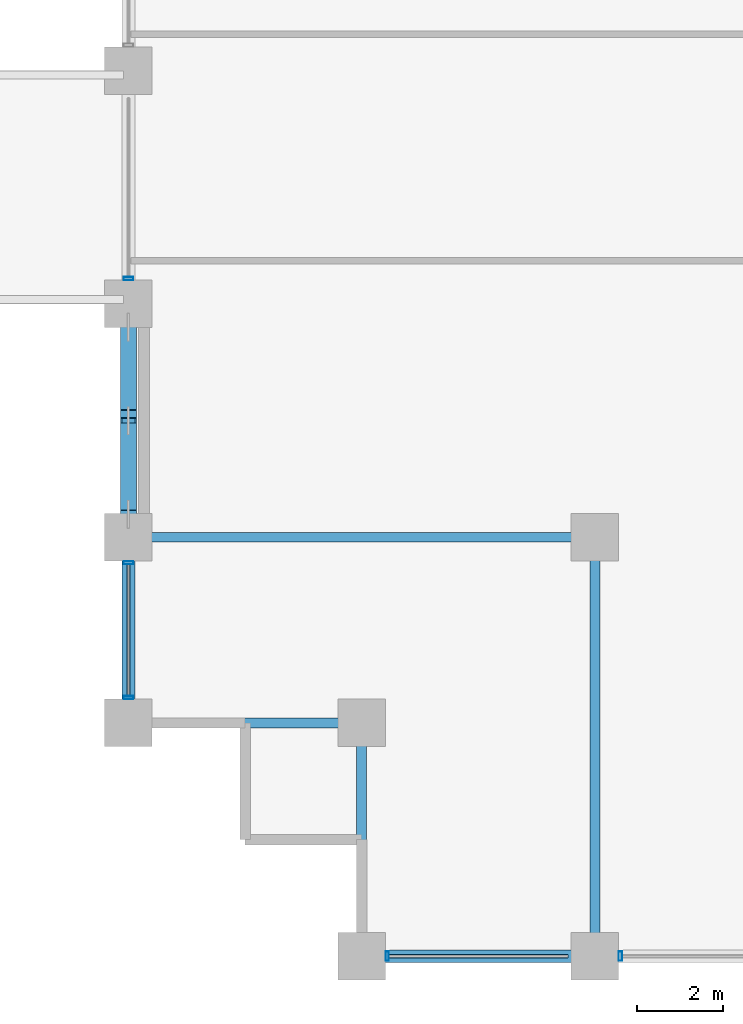
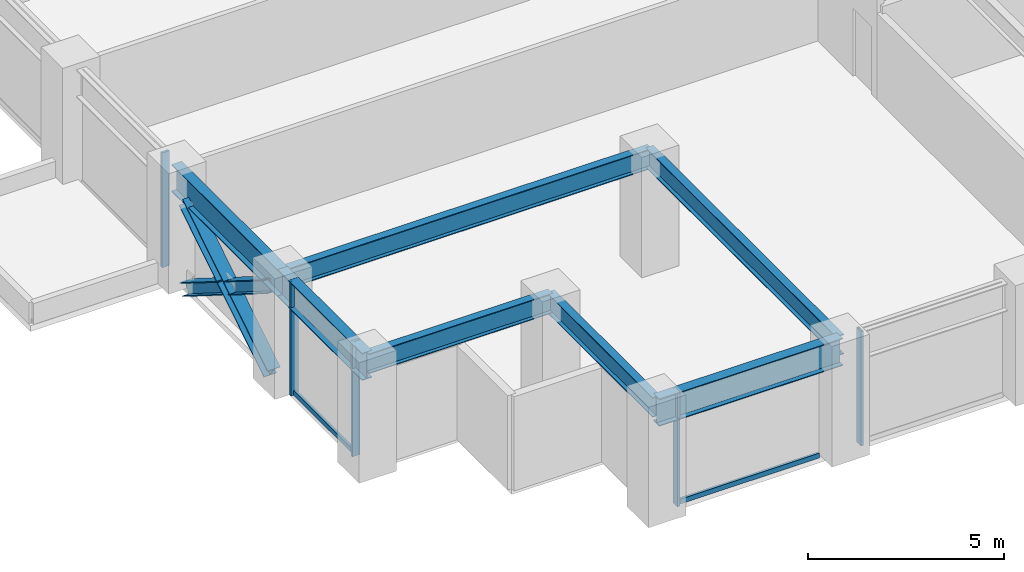
# One storey, part 2 of 25: 10 members, 7 beams, 3 elements without a shape of their own.
"""IFC4 building model written with IfcOpenShell, lengths in metres."""

from ifc_helpers import new_model, si_unit, direction, frame, origin, origin_2d, place, context, subcontext, project, spatial, hollow_rectangle, i_section, extrude, material, layer, layer_set, material_profile, profile_set, type_object, element, aggregate, save


model = new_model("IFC4")

# Units and contexts
model_context = context("Model", 3, precision=1e-05, world=origin(), true_north=direction((0.0, 1.0)))
body_context = subcontext(model_context, "Body", "Model", "MODEL_VIEW")
ifc_project = project(units=[si_unit("LENGTHUNIT", "METRE"), si_unit("AREAUNIT", "SQUARE_METRE"), si_unit("VOLUMEUNIT", "CUBIC_METRE"), si_unit("PLANEANGLEUNIT", "RADIAN"), si_unit("MASSUNIT", "GRAM", prefix="KILO")], contexts=[model_context])

# Site, building, storey
site_placement = place(None, origin())
site = spatial("IfcSite", under=ifc_project, at=site_placement, CompositionType="ELEMENT")
building_placement = place(site_placement, origin())
building = spatial("IfcBuilding", under=site, at=building_placement, Name="Surkhivell Harbour Commons", CompositionType="ELEMENT")
storey_placement = place(building_placement, frame((0.0, 0.0, 94.5)))
storey = spatial("IfcBuildingStorey", under=building, at=storey_placement, Name="L24", CompositionType="ELEMENT", Elevation=94.5)

# Beams
ifc_material_1 = material(Name="Steel S355", Category="steel")
ifc_material_profile_1 = material_profile(ifc_material_1, i_section(OverallWidth=0.22998046875, OverallDepth=0.616943359375, WebThickness=0.01318359375, FlangeThickness=0.022216796875, at=origin_2d()), Name="UB610x229x140")
ifc_profile_set_1 = profile_set([ifc_material_profile_1], Name="Steel S355")
beam_type_1 = type_object("IfcBeamType", Name="BM-GRD-610B", PredefinedType="BEAM", material=ifc_profile_set_1)
beam_1_placement = place(storey_placement, frame((-32.39990234375, -20.5, 3.261474609375), z_axis=(1.0, 0.0, 0.0), x_axis=(0.0, 1.0, 0.0)))
element("IfcBeam", 1, at=beam_1_placement, inside=storey, type_object=beam_type_1, Name="L24 Floor Girder (-32.4,-20.5)", PredefinedType="BEAM", context=body_context, shape_type="SweptSolid", body=[
    extrude(i_section(OverallWidth=0.22998046875, OverallDepth=0.616943359375, WebThickness=0.01318359375, FlangeThickness=0.022216796875, at=origin_2d()), origin(), (0.0, 0.0, 1.0), 5.39990234375),
])
beam_2_placement = place(storey_placement, frame((-32.39990234375, -16.199951171875, 3.261474609375), z_axis=(1.0, 0.0, 0.0), x_axis=(0.0, 1.0, 0.0)))
element("IfcBeam", 2, at=beam_2_placement, inside=storey, type_object=beam_type_1, Name="L24 Floor Girder (-32.4,-16.2)", PredefinedType="BEAM", context=body_context, shape_type="SweptSolid", body=[
    extrude(i_section(OverallWidth=0.22998046875, OverallDepth=0.616943359375, WebThickness=0.01318359375, FlangeThickness=0.022216796875, at=origin_2d()), origin(), (0.0, 0.0, 1.0), 10.7998046875),
])
beam_3_placement = place(storey_placement, frame((-27.0, -25.89990234375, 3.261474609375), z_axis=(0.0, 1.0, 0.0), x_axis=(-1.0, 0.0, 0.0)))
element("IfcBeam", 3, at=beam_3_placement, inside=storey, type_object=beam_type_1, Name="L24 Floor Girder (-27.0,-25.9)", PredefinedType="BEAM", context=body_context, shape_type="SweptSolid", body=[
    extrude(i_section(OverallWidth=0.22998046875, OverallDepth=0.616943359375, WebThickness=0.01318359375, FlangeThickness=0.022216796875, at=origin_2d()), origin(), (0.0, 0.0, 1.0), 5.39990234375),
])
beam_4_placement = place(storey_placement, frame((-21.60009765625, -25.89990234375, 3.261474609375), z_axis=(0.0, 1.0, 0.0), x_axis=(-1.0, 0.0, 0.0)))
element("IfcBeam", 4, at=beam_4_placement, inside=storey, type_object=beam_type_1, Name="L24 Floor Girder (-21.6,-25.9)", PredefinedType="BEAM", context=body_context, shape_type="SweptSolid", body=[
    extrude(i_section(OverallWidth=0.22998046875, OverallDepth=0.616943359375, WebThickness=0.01318359375, FlangeThickness=0.022216796875, at=origin_2d()), origin(), (0.0, 0.0, 1.0), 9.699951171875),
])
ifc_material_2 = material(Name="Steel S460", Category="steel")
ifc_material_profile_2 = material_profile(ifc_material_2, i_section(OverallWidth=0.2939453125, OverallDepth=0.85107421875, WebThickness=0.01611328125, FlangeThickness=0.02685546875, at=origin_2d()), Name="UB838x292x226")
ifc_profile_set_2 = profile_set([ifc_material_profile_2], Name="Steel S460")
beam_type_2 = type_object("IfcBeamType", Name="BM-SPN-838", PredefinedType="SPANDREL", material=ifc_profile_set_2)
beam_5_placement = place(storey_placement, frame((-32.39990234375, -20.5, 3.14453125), z_axis=(0.0, 1.0, 0.0), x_axis=(-1.0, 0.0, 0.0)))
element("IfcBeam", 5, at=beam_5_placement, inside=storey, type_object=beam_type_2, Name="L24 Tube Spandrel (-32.4,-20.5)", PredefinedType="SPANDREL", context=body_context, shape_type="SweptSolid", body=[
    extrude(i_section(OverallWidth=0.2939453125, OverallDepth=0.85107421875, WebThickness=0.01611328125, FlangeThickness=0.02685546875, at=origin_2d()), origin(), (0.0, 0.0, 1.0), 4.300048828125),
])
for number, where, z_axis, x_axis, name in (
    (6, (-32.39990234375, -16.199951171875, 3.14453125), (0.0, 1.0, 0.0), (-1.0, 0.0, 0.0), "L24 Tube Spandrel (-32.4,-16.2)"),
    (7, (-27.0, -25.89990234375, 3.14453125), (1.0, 0.0, 0.0), (0.0, 1.0, 0.0), "L24 Tube Spandrel (-27.0,-25.9)"),
):
    element("IfcBeam", number, at=place(storey_placement, frame(where, z_axis=z_axis, x_axis=x_axis)), inside=storey, type_object=beam_type_2, Name=name, PredefinedType="SPANDREL", context=body_context, shape_type="SweptSolid", body=[
        extrude(i_section(OverallWidth=0.2939453125, OverallDepth=0.85107421875, WebThickness=0.01611328125, FlangeThickness=0.02685546875, at=origin_2d()), origin(), (0.0, 0.0, 1.0), 5.39990234375),
    ])

# Curtain wall, members
ifc_material_3 = material(Name="Anodised pale-metal aluminium and insulated glazing", Category="aluminium")
ifc_layer = layer(ifc_material_3, 0.205078125)
ifc_layer_set = layer_set([ifc_layer], Name="Anodised pale-metal aluminium and insulated glazing")
curtain_wall_type = type_object("IfcCurtainWallType", Name="CW-SYS-Z2", PredefinedType="NOTDEFINED", material=ifc_layer_set)
curtain_wall_1_placement = place(storey_placement, origin())
curtain_wall_1 = element("IfcCurtainWall", 8, at=curtain_wall_1_placement, inside=storey, type_object=curtain_wall_type, Name="L24 Curtain Wall CW-L24-E00S1", PredefinedType="NOTDEFINED")
ifc_material_4 = material(Name="Anodised pale-metal aluminium alloy 6063-T6", Category="aluminium")
ifc_material_profile_3 = material_profile(ifc_material_4, hollow_rectangle(XDim=0.074951171875, YDim=0.219970703125, WallThickness=0.00390625, at=origin_2d()), Name="ALU-MULL-75x220")
ifc_profile_set_3 = profile_set([ifc_material_profile_3], Name="Anodised pale-metal aluminium alloy 6063-T6")
member_type_1 = type_object("IfcMemberType", Name="CWM-220", PredefinedType="MULLION", material=ifc_profile_set_3)
member_1_placement = place(storey_placement, frame((-26.410400390625, -25.89990234375, 0.0), z_axis=(0.0, 0.0, 1.0), x_axis=(1.0, 0.0, 0.0)))
member_1 = element("IfcMember", 9, at=member_1_placement, type_object=member_type_1, Name="CW-Z2 mullion 1", PredefinedType="MULLION", context=body_context, shape_type="SweptSolid", body=[
    extrude(hollow_rectangle(XDim=0.074951171875, YDim=0.219970703125, WallThickness=0.00390625, at=origin_2d()), origin(), (0.0, 0.0, 1.0), 3.570068359375),
])
member_2_placement = place(storey_placement, frame((-21.010498046875, -25.89990234375, 0.0), z_axis=(0.0, 0.0, 1.0), x_axis=(1.0, 0.0, 0.0)))
member_2 = element("IfcMember", 10, at=member_2_placement, type_object=member_type_1, Name="CW-Z2 mullion 2", PredefinedType="MULLION", context=body_context, shape_type="SweptSolid", body=[
    extrude(hollow_rectangle(XDim=0.074951171875, YDim=0.219970703125, WallThickness=0.00390625, at=origin_2d()), origin(), (0.0, 0.0, 1.0), 3.570068359375),
])

curtain_wall_2_placement = place(storey_placement, origin())
curtain_wall_2 = element("IfcCurtainWall", 11, at=curtain_wall_2_placement, inside=storey, type_object=curtain_wall_type, Name="L24 Curtain Wall CW-L24-E12R1S1", PredefinedType="NOTDEFINED")
member_3_placement = place(storey_placement, frame((-32.39990234375, -19.910400390625, 0.0), z_axis=(0.0, 0.0, 1.0), x_axis=(0.0, 1.0, 0.0)))
member_3 = element("IfcMember", 12, at=member_3_placement, type_object=member_type_1, Name="CW-Z2 mullion 1", PredefinedType="MULLION", context=body_context, shape_type="SweptSolid", body=[
    extrude(hollow_rectangle(XDim=0.074951171875, YDim=0.219970703125, WallThickness=0.00390625, at=origin_2d()), origin(), (0.0, 0.0, 1.0), 3.570068359375),
])
member_4_placement = place(storey_placement, frame((-32.39990234375, -16.78955078125, 0.0), z_axis=(0.0, 0.0, 1.0), x_axis=(0.0, 1.0, 0.0)))
member_4 = element("IfcMember", 13, at=member_4_placement, type_object=member_type_1, Name="CW-Z2 mullion 2", PredefinedType="MULLION", context=body_context, shape_type="SweptSolid", body=[
    extrude(hollow_rectangle(XDim=0.074951171875, YDim=0.219970703125, WallThickness=0.00390625, at=origin_2d()), origin(), (0.0, 0.0, 1.0), 3.570068359375),
])

# Curtain wall, member
curtain_wall_3_placement = place(storey_placement, origin())
curtain_wall_3 = element("IfcCurtainWall", 14, at=curtain_wall_3_placement, inside=storey, type_object=curtain_wall_type, Name="L24 Curtain Wall CW-L24-E12R1S2", PredefinedType="NOTDEFINED")
member_5_placement = place(storey_placement, frame((-32.39990234375, -10.21044921875, 0.0), z_axis=(0.0, 0.0, 1.0), x_axis=(0.0, 1.0, 0.0)))
member_5 = element("IfcMember", 15, at=member_5_placement, type_object=member_type_1, Name="CW-Z2 mullion 1", PredefinedType="MULLION", context=body_context, shape_type="SweptSolid", body=[
    extrude(hollow_rectangle(XDim=0.074951171875, YDim=0.219970703125, WallThickness=0.00390625, at=origin_2d()), origin(), (0.0, 0.0, 1.0), 3.570068359375),
])
aggregate(curtain_wall_3, [member_5])

# Member
ifc_material_profile_4 = material_profile(ifc_material_4, hollow_rectangle(XDim=0.074951171875, YDim=0.14990234375, WallThickness=0.00341796875, at=origin_2d()), Name="ALU-TRAN-75x150")
ifc_profile_set_4 = profile_set([ifc_material_profile_4], Name="Anodised pale-metal aluminium alloy 6063-T6")
member_type_2 = type_object("IfcMemberType", Name="CWT-150", PredefinedType="USERDEFINED", material=ifc_profile_set_4)
member_6_placement = place(storey_placement, frame((-26.373046875, -25.89990234375, 0.074951171875), z_axis=(1.0, 0.0, 0.0), x_axis=(0.0, 1.0, 0.0)))
member_6 = element("IfcMember", 16, at=member_6_placement, type_object=member_type_2, Name="CW-Z2 transom 1.1", ObjectType="TRANSOM", PredefinedType="USERDEFINED", context=body_context, shape_type="SweptSolid", body=[
    extrude(hollow_rectangle(XDim=0.074951171875, YDim=0.14990234375, WallThickness=0.00341796875, at=origin_2d()), origin(), (0.0, 0.0, 1.0), 4.14599609375),
])

aggregate(curtain_wall_1, [member_1, member_6, member_2])

member_7_placement = place(storey_placement, frame((-32.39990234375, -19.873046875, 0.074951171875), z_axis=(0.0, 1.0, 0.0), x_axis=(-1.0, 0.0, 0.0)))
member_7 = element("IfcMember", 17, at=member_7_placement, type_object=member_type_2, Name="CW-Z2 transom 1.1", ObjectType="TRANSOM", PredefinedType="USERDEFINED", context=body_context, shape_type="SweptSolid", body=[
    extrude(hollow_rectangle(XDim=0.074951171875, YDim=0.14990234375, WallThickness=0.00341796875, at=origin_2d()), origin(), (0.0, 0.0, 1.0), 3.046142578125),
])

aggregate(curtain_wall_2, [member_3, member_4, member_7])

# Members
ifc_material_profile_5 = material_profile(ifc_material_2, i_section(OverallWidth=0.375, OverallDepth=0.375, WebThickness=0.0166015625, FlangeThickness=0.027099609375, at=origin_2d()), Name="UC356x368x202")
ifc_profile_set_5 = profile_set([ifc_material_profile_5], Name="Steel S460")
member_type_3 = type_object("IfcMemberType", Name="MEM-BRC-UC356", PredefinedType="BRACE", material=ifc_profile_set_5)
member_8_placement = place(storey_placement, frame((-32.39990234375, -15.6650390625, 0.008056640625), z_axis=(0.0, 0.847246015888, 0.531200704594), x_axis=(-1.0, 0.0, 0.0)))
element("IfcMember", 18, at=member_8_placement, inside=storey, type_object=member_type_3, Name="L24 Perimeter Mega-Brace MB- 10", PredefinedType="BRACE", context=body_context, shape_type="SweptSolid", body=[
    extrude(i_section(OverallWidth=0.375, OverallDepth=0.375, WebThickness=0.0166015625, FlangeThickness=0.027099609375, at=origin_2d()), origin(), (0.0, 0.0, 1.0), 5.11083984375),
])
member_9_placement = place(storey_placement, frame((-32.39990234375, -11.3349609375, 0.008056640625), z_axis=(0.0, -0.847206308526, 0.53126403115), x_axis=(1.0, 0.0, 0.0)))
element("IfcMember", 19, at=member_9_placement, inside=storey, type_object=member_type_3, Name="L24 Perimeter Mega-Brace MB- 11", PredefinedType="BRACE", context=body_context, shape_type="SweptSolid", body=[
    extrude(i_section(OverallWidth=0.375, OverallDepth=0.375, WebThickness=0.0166015625, FlangeThickness=0.027099609375, at=origin_2d()), origin(), (0.0, 0.0, 1.0), 2.37548828125),
])
member_10_placement = place(storey_placement, frame((-32.39990234375, -13.652587890625, 1.461181640625), z_axis=(0.0, -0.84725256761, 0.53119025469), x_axis=(1.0, 0.0, 0.0)))
element("IfcMember", 20, at=member_10_placement, inside=storey, type_object=member_type_3, Name="L24 Perimeter Mega-Brace MB- 12", PredefinedType="BRACE", context=body_context, shape_type="SweptSolid", body=[
    extrude(i_section(OverallWidth=0.375, OverallDepth=0.375, WebThickness=0.0166015625, FlangeThickness=0.027099609375, at=origin_2d()), origin(), (0.0, 0.0, 1.0), 2.375244140625),
])

save(model, "model.ifc")
